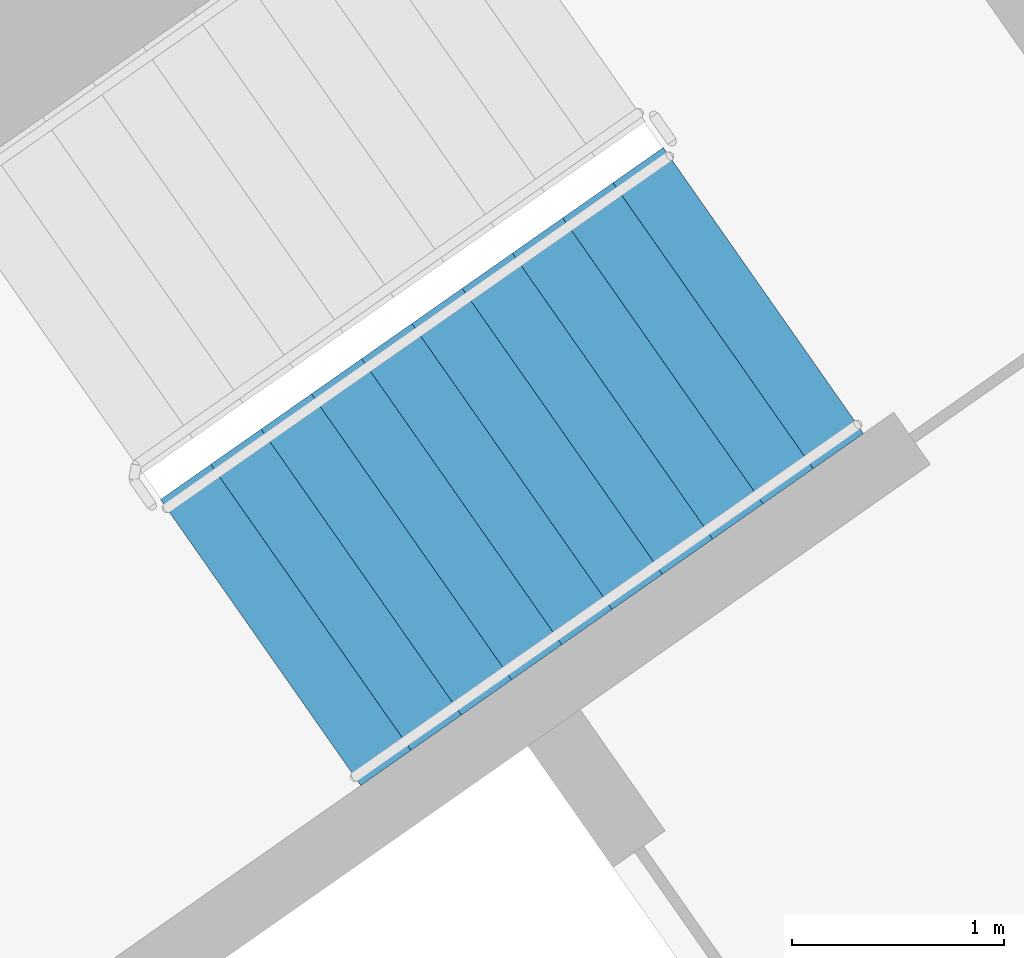
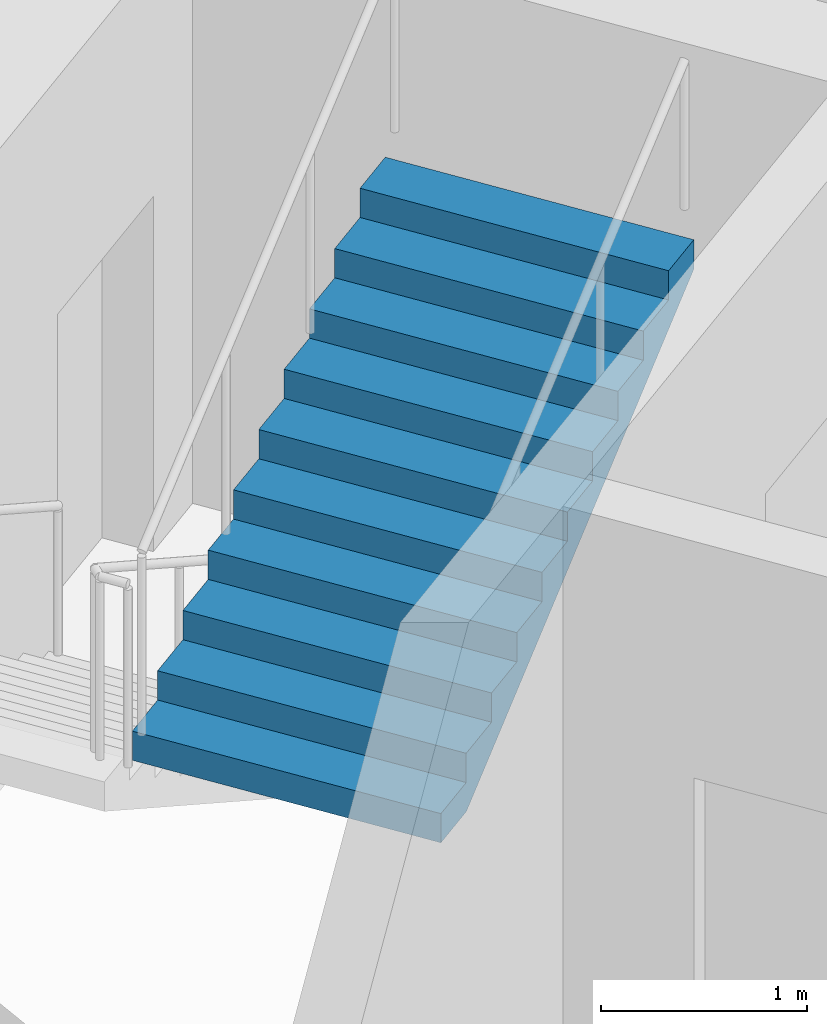
# One storey, part 16 of 28: 1 stair flight, 1 element without a shape of its own.
"""IFC4 building model written with IfcOpenShell, lengths in metres."""

import ifcopenshell
import ifcopenshell.guid

model = None  # the IFC model being written
_history = None  # IfcOwnerHistory: only IFC2X3 demands one
_inside = {}  # id of a spatial element -> (the spatial element, [elements in it])
_under = {}  # id of a project, library or spatial element -> (it, [spatial elements below it])
_declared = {}  # id of a project -> (the project, [libraries it declares])
_typed = {}  # id of a type object -> (the type object, [elements of that type])
_made_of = {}  # id of a material, layer set ... -> (it, [elements and type objects made of it])


def new_model(schema):
    """Start an empty IFC model of exactly this schema.

    Asked for "IFC4X3", IfcOpenShell would pick the latest addendum, in which some entities
    have other attributes; the version numbers below select the first issue.
    IFC2X3 requires an IfcOwnerHistory on every rooted entity: one is made here for all.
    """
    global model, _history
    if schema == "IFC4X3":
        model = ifcopenshell.file(schema_version=(4, 3, 0, 0))
    else:
        model = ifcopenshell.file(schema=schema)
    _inside.clear()
    _under.clear()
    _declared.clear()
    _typed.clear()
    _made_of.clear()
    _history = None
    if model.schema == "IFC2X3":
        org = make("IfcOrganization", Name="unknown")
        user = make(
            "IfcPersonAndOrganization",
            ThePerson=make("IfcPerson", FamilyName="unknown"),
            TheOrganization=org,
        )
        app = make(
            "IfcApplication",
            ApplicationDeveloper=org,
            Version="unknown",
            ApplicationFullName="unknown",
            ApplicationIdentifier="unknown",
        )
        _history = make(
            "IfcOwnerHistory",
            OwningUser=user,
            OwningApplication=app,
            ChangeAction="ADDED",
            CreationDate=0,
        )
    return model


def make(cls, **values):
    """One entity of the class cls with the attributes given. An attribute that is None is left unset."""
    return model.create_entity(
        cls, **{name: value for name, value in values.items() if value is not None}
    )


def rooted(cls, **values):
    """An entity with a GlobalId (a new one), such as an element, a storey or a relation."""
    return make(cls, GlobalId=ifcopenshell.guid.new(), OwnerHistory=_history, **values)


def si_unit(unit_type, name, prefix=None):
    """IfcSIUnit, for example si_unit("LENGTHUNIT", "METRE", prefix="MILLI")."""
    return make("IfcSIUnit", UnitType=unit_type, Prefix=prefix, Name=name)


def assignment(units):
    """IfcUnitAssignment: the units of a project."""
    return None if units is None else make("IfcUnitAssignment", Units=units)


def point(xyz):
    """IfcCartesianPoint."""
    return None if xyz is None else make("IfcCartesianPoint", Coordinates=xyz)


def direction(xyz):
    """IfcDirection."""
    return None if xyz is None else make("IfcDirection", DirectionRatios=xyz)


def frame(location, z_axis=None, x_axis=None):
    """IfcAxis2Placement3D, a coordinate frame: its origin and axes. An axis left out is left unset."""
    return make(
        "IfcAxis2Placement3D",
        Location=point(location),
        Axis=direction(z_axis),
        RefDirection=direction(x_axis),
    )


def origin():
    """The frame at (0, 0, 0) with its axes left unset."""
    return frame((0.0, 0.0, 0.0))


def place(relative_to, where):
    """IfcLocalPlacement: puts the frame where relative to a parent placement (None: the world)."""
    return make(
        "IfcLocalPlacement", PlacementRelTo=relative_to, RelativePlacement=where
    )


def context(
    kind, dimensions, precision=None, world=None, true_north=None, identifier=None
):
    """IfcGeometricRepresentationContext, for example the 3D "Model" context."""
    return make(
        "IfcGeometricRepresentationContext",
        ContextIdentifier=identifier,
        ContextType=kind,
        CoordinateSpaceDimension=dimensions,
        Precision=precision,
        WorldCoordinateSystem=world,
        TrueNorth=true_north,
    )


def subcontext(parent, identifier, kind, view, scale=None):
    """IfcGeometricRepresentationSubContext, for example "Body" below "Model"."""
    return make(
        "IfcGeometricRepresentationSubContext",
        ContextIdentifier=identifier,
        ContextType=kind,
        ParentContext=parent,
        TargetScale=scale,
        TargetView=view,
    )


def project(units=None, contexts=None):
    """IfcProject with its units and contexts."""
    return rooted(
        "IfcProject",
        Name="project",
        RepresentationContexts=contexts,
        UnitsInContext=assignment(units),
    )


def spatial(cls, under=None, at=None, **own):
    """A site, building, storey or space (cls), placed at a placement, below another one or the project."""
    s = rooted(cls, ObjectPlacement=at, **own)
    if under is not None:
        _under.setdefault(under.id(), (under, []))[1].append(s)
    return s


def faces_of(points, faces, orient=None, outer=None):
    """IfcFace entities. A face is a list of loops; a loop is a list of indices into points, from 0.

    orient and outer hold one flag for each loop. By default every Orientation is true, the
    first loop of a face is its IfcFaceOuterBound and the others are IfcFaceBound.
    """
    made = []
    for i, loops in enumerate(faces):
        bounds = []
        for j, loop in enumerate(loops):
            is_outer = j == 0 if outer is None else outer[i][j]
            bounds.append(
                make(
                    "IfcFaceOuterBound" if is_outer else "IfcFaceBound",
                    Bound=make("IfcPolyLoop", Polygon=[points[k] for k in loop]),
                    Orientation=True if orient is None else orient[i][j],
                )
            )
        made.append(make("IfcFace", Bounds=bounds))
    return made


def faceted_brep(points, faces, orient=None, outer=None, voids=None):
    """IfcFacetedBrep: a solid bounded by flat faces; with voids (closed shells), ...WithVoids."""
    shared = [point(p) for p in points]
    hull = make("IfcClosedShell", CfsFaces=faces_of(shared, faces, orient, outer))
    if voids is None:
        return make("IfcFacetedBrep", Outer=hull)
    return make(
        "IfcFacetedBrepWithVoids",
        Outer=hull,
        Voids=[
            make(cls, CfsFaces=faces_of(shared, fs, o, b)) for cls, fs, o, b in voids
        ],
    )


def shape(context_of_items, identifier, shape_type, items):
    """IfcShapeRepresentation: the items that make up one representation, for example the "Body"."""
    return make(
        "IfcShapeRepresentation",
        ContextOfItems=context_of_items,
        RepresentationIdentifier=identifier,
        RepresentationType=shape_type,
        Items=items,
    )


def material(Name=None, Category=None):
    """IfcMaterial."""
    return make("IfcMaterial", Name=Name, Category=Category)


def made_of(thing, what):
    """Note that an element or type object is made of a material, layer set ...; save() writes the relation."""
    if what is not None:
        _made_of.setdefault(what.id(), (what, []))[1].append(thing)
    return thing


def type_object(cls, material=None, **own):
    """A type object (cls), such as IfcWallType, which elements share."""
    return made_of(rooted(cls, **own), material)


def element(
    cls,
    number,
    at=None,
    inside=None,
    cuts=None,
    type_object=None,
    material=None,
    context=None,
    identifier="Body",
    shape_type=None,
    held_by="IfcProductDefinitionShape",
    body=None,
    shapes=None,
    **own,
):
    """One element of the class cls, such as IfcWall. Its Tag is "e" and its number.

    at: its placement. inside: the storey or other place that contains it. cuts: it is an
    opening in that element (IfcRelVoidsElement). A single representation is given by context,
    identifier, shape_type and body (its items); several are given by shapes. held_by: the class
    of the entity that holds the representations. save() writes the other relations.
    """
    e = rooted(cls, Tag="e%d" % number, ObjectPlacement=at, **own)
    if body is not None:
        shapes = [shape(context, identifier, shape_type, body)]
    if shapes is not None:
        e.Representation = make(held_by, Representations=shapes)
    if inside is not None:
        _inside.setdefault(inside.id(), (inside, []))[1].append(e)
    if cuts is not None:
        rooted(
            "IfcRelVoidsElement", RelatingBuildingElement=cuts, RelatedOpeningElement=e
        )
    if type_object is not None:
        _typed.setdefault(type_object.id(), (type_object, []))[1].append(e)
    return made_of(e, material)


def aggregate(whole, parts):
    """IfcRelAggregates: a whole, such as a stair, and the parts it consists of."""
    return rooted("IfcRelAggregates", RelatingObject=whole, RelatedObjects=parts)


def save(model, path):
    """Write the relations noted so far, then the file.

    IfcRelAggregates (storeys below a building ...), IfcRelContainedInSpatialStructure (elements
    in a storey), IfcRelDefinesByType, IfcRelAssociatesMaterial and IfcRelDeclares: one each for
    every whole, place, type object, material and project.
    """
    for whole, parts in _under.values():
        aggregate(whole, parts)
    for where, things in _inside.values():
        rooted(
            "IfcRelContainedInSpatialStructure",
            RelatedElements=things,
            RelatingStructure=where,
        )
    for kind, things in _typed.values():
        rooted("IfcRelDefinesByType", RelatedObjects=things, RelatingType=kind)
    for what, things in _made_of.values():
        rooted("IfcRelAssociatesMaterial", RelatedObjects=things, RelatingMaterial=what)
    for by, libraries in _declared.values():
        rooted("IfcRelDeclares", RelatingContext=by, RelatedDefinitions=libraries)
    model.write(path)


model = new_model("IFC4")

# Units and contexts
model_context = context("Model", 3, precision=1e-05, world=origin(), true_north=direction((0.0, 1.0)))
body_context = subcontext(model_context, "Body", "Model", "MODEL_VIEW")
ifc_project = project(units=[si_unit("LENGTHUNIT", "METRE"), si_unit("AREAUNIT", "SQUARE_METRE"), si_unit("VOLUMEUNIT", "CUBIC_METRE"), si_unit("PLANEANGLEUNIT", "RADIAN"), si_unit("MASSUNIT", "GRAM", prefix="KILO")], contexts=[model_context])

# Site, building, storey
site_placement = place(None, origin())
site = spatial("IfcSite", under=ifc_project, at=site_placement, CompositionType="ELEMENT")
building_placement = place(site_placement, origin())
building = spatial("IfcBuilding", under=site, at=building_placement, Name="Qamariyya Broadcast Tower", CompositionType="ELEMENT")
storey_placement = place(building_placement, frame((0.0, 0.0, 230.300048828125)))
storey = spatial("IfcBuildingStorey", under=building, at=storey_placement, Name="L55", CompositionType="ELEMENT", Elevation=230.300048828125)

# Stair, stair flight
ifc_material = material(Name="Concrete C50/60", Category="concrete")
stair_type = type_object("IfcStairType", Name="Exit stair 22 risers of 173 mm", PredefinedType="HALF_TURN_STAIR", material=ifc_material)
stair_placement = place(storey_placement, origin())
stair = element("IfcStair", 1, at=stair_placement, inside=storey, type_object=stair_type, Name="L55 Stair E2", PredefinedType="HALF_TURN_STAIR")
stair_flight_type = type_object("IfcStairFlightType", Name="Exit stair flight 11 risers of 173 mm", PredefinedType="STRAIGHT", material=ifc_material)
stair_flight_placement = place(storey_placement, frame((39.215576171875, -50.822998046875, 1.89990234375), z_axis=(0.0, 0.0, 1.0), x_axis=(0.819152044289, 0.573576436351, 0.0)))
stair_flight = element("IfcStairFlight", 2, at=stair_flight_placement, type_object=stair_flight_type, Name="ST-E2 flight 2", NumberOfRisers=11, NumberOfTreads=10, PredefinedType="STRAIGHT", RiserHeight=0.172727273, TreadLength=0.29, context=body_context, shape_type="Brep", body=[
    faceted_brep([(0.0, 0.824951171875, 0.0), (0.0, 0.824951171875, 0.172607421875), (0.2900390625, 0.824951171875, 0.172607421875), (0.2900390625, 0.824951171875, 0.345458984375), (0.580078125, 0.824951171875, 0.345458984375), (0.580078125, 0.824951171875, 0.51806640625), (0.8701171875, 0.824951171875, 0.51806640625), (0.8701171875, 0.824951171875, 0.69091796875), (1.159912109375, 0.824951171875, 0.69091796875), (1.159912109375, 0.824951171875, 0.863525390625), (1.449951171875, 0.824951171875, 0.863525390625), (1.449951171875, 0.824951171875, 1.036376953125), (1.739990234375, 0.824951171875, 1.036376953125), (1.739990234375, 0.824951171875, 1.208984375), (2.030029296875, 0.824951171875, 1.208984375), (2.030029296875, 0.824951171875, 1.3818359375), (2.320068359375, 0.824951171875, 1.3818359375), (2.320068359375, 0.824951171875, 1.554443359375), (2.610107421875, 0.824951171875, 1.554443359375), (2.610107421875, 0.824951171875, 1.727294921875), (2.89990234375, 0.824951171875, 1.727294921875), (2.89990234375, 0.824951171875, 1.552734375), (0.29296875, 0.824951171875, 0.0), (0.29296875, -0.824951171875, 0.0), (2.89990234375, -0.824951171875, 1.552734375), (2.89990234375, -0.824951171875, 1.727294921875), (2.610107421875, -0.824951171875, 1.727294921875), (2.610107421875, -0.824951171875, 1.554443359375), (2.320068359375, -0.824951171875, 1.554443359375), (2.320068359375, -0.824951171875, 1.3818359375), (2.030029296875, -0.824951171875, 1.3818359375), (2.030029296875, -0.824951171875, 1.208984375), (1.739990234375, -0.824951171875, 1.208984375), (1.739990234375, -0.824951171875, 1.036376953125), (1.449951171875, -0.824951171875, 1.036376953125), (1.449951171875, -0.824951171875, 0.863525390625), (1.159912109375, -0.824951171875, 0.863525390625), (1.159912109375, -0.824951171875, 0.69091796875), (0.8701171875, -0.824951171875, 0.69091796875), (0.8701171875, -0.824951171875, 0.51806640625), (0.580078125, -0.824951171875, 0.51806640625), (0.580078125, -0.824951171875, 0.345458984375), (0.2900390625, -0.824951171875, 0.345458984375), (0.2900390625, -0.824951171875, 0.172607421875), (0.0, -0.824951171875, 0.172607421875), (0.0, -0.824951171875, 0.0), (0.0, 0.10009765625, 0.0), (0.0, 0.086669921875, 0.0), (0.0, 0.0732421875, 0.0), (0.0, 0.06005859375, 0.0), (0.0, 0.046630859375, 0.0), (0.0, 0.033447265625, 0.0), (0.0, 0.02001953125, 0.0), (0.0, 0.006591796875, 0.0), (0.0, -0.006591796875, 0.0), (0.0, -0.02001953125, 0.0), (0.0, -0.033447265625, 0.0), (0.0, -0.046630859375, 0.0), (0.0, -0.06005859375, 0.0), (0.0, -0.0732421875, 0.0), (0.0, -0.086669921875, 0.0), (0.0, -0.10009765625, 0.0), (0.0, -0.10009765625, 0.172607421875), (0.0, -0.086669921875, 0.172607421875), (0.0, -0.0732421875, 0.172607421875), (0.0, -0.06005859375, 0.172607421875), (0.0, -0.046630859375, 0.172607421875), (0.0, -0.033447265625, 0.172607421875), (0.0, -0.02001953125, 0.172607421875), (0.0, -0.006591796875, 0.172607421875), (0.0, 0.006591796875, 0.172607421875), (0.0, 0.02001953125, 0.172607421875), (0.0, 0.033447265625, 0.172607421875), (0.0, 0.046630859375, 0.172607421875), (0.0, 0.06005859375, 0.172607421875), (0.0, 0.0732421875, 0.172607421875), (0.0, 0.086669921875, 0.172607421875), (0.0, 0.10009765625, 0.172607421875), (0.2900390625, -0.10009765625, 0.172607421875), (0.2900390625, -0.086669921875, 0.172607421875), (0.2900390625, -0.0732421875, 0.172607421875), (0.2900390625, -0.06005859375, 0.172607421875), (0.2900390625, -0.046630859375, 0.172607421875), (0.2900390625, -0.033447265625, 0.172607421875), (0.2900390625, -0.02001953125, 0.172607421875), (0.2900390625, -0.006591796875, 0.172607421875), (0.2900390625, 0.006591796875, 0.172607421875), (0.2900390625, 0.02001953125, 0.172607421875), (0.2900390625, 0.033447265625, 0.172607421875), (0.2900390625, 0.046630859375, 0.172607421875), (0.2900390625, 0.06005859375, 0.172607421875), (0.2900390625, 0.0732421875, 0.172607421875), (0.2900390625, 0.086669921875, 0.172607421875), (0.2900390625, 0.10009765625, 0.172607421875), (0.2900390625, -0.10009765625, 0.345458984375), (0.2900390625, -0.086669921875, 0.345458984375), (0.2900390625, -0.0732421875, 0.345458984375), (0.2900390625, -0.06005859375, 0.345458984375), (0.2900390625, -0.046630859375, 0.345458984375), (0.2900390625, -0.033447265625, 0.345458984375), (0.2900390625, -0.02001953125, 0.345458984375), (0.2900390625, -0.006591796875, 0.345458984375), (0.2900390625, 0.006591796875, 0.345458984375), (0.2900390625, 0.02001953125, 0.345458984375), (0.2900390625, 0.033447265625, 0.345458984375), (0.2900390625, 0.046630859375, 0.345458984375), (0.2900390625, 0.06005859375, 0.345458984375), (0.2900390625, 0.0732421875, 0.345458984375), (0.2900390625, 0.086669921875, 0.345458984375), (0.2900390625, 0.10009765625, 0.345458984375), (0.580078125, -0.10009765625, 0.345458984375), (0.580078125, -0.086669921875, 0.345458984375), (0.580078125, -0.0732421875, 0.345458984375), (0.580078125, -0.06005859375, 0.345458984375), (0.580078125, -0.046630859375, 0.345458984375), (0.580078125, -0.033447265625, 0.345458984375), (0.580078125, -0.02001953125, 0.345458984375), (0.580078125, -0.006591796875, 0.345458984375), (0.580078125, 0.006591796875, 0.345458984375), (0.580078125, 0.02001953125, 0.345458984375), (0.580078125, 0.033447265625, 0.345458984375), (0.580078125, 0.046630859375, 0.345458984375), (0.580078125, 0.06005859375, 0.345458984375), (0.580078125, 0.0732421875, 0.345458984375), (0.580078125, 0.086669921875, 0.345458984375), (0.580078125, 0.10009765625, 0.345458984375), (0.580078125, -0.10009765625, 0.51806640625), (0.580078125, -0.086669921875, 0.51806640625), (0.580078125, -0.0732421875, 0.51806640625), (0.580078125, -0.06005859375, 0.51806640625), (0.580078125, -0.046630859375, 0.51806640625), (0.580078125, -0.033447265625, 0.51806640625), (0.580078125, -0.02001953125, 0.51806640625), (0.580078125, -0.006591796875, 0.51806640625), (0.580078125, 0.006591796875, 0.51806640625), (0.580078125, 0.02001953125, 0.51806640625), (0.580078125, 0.033447265625, 0.51806640625), (0.580078125, 0.046630859375, 0.51806640625), (0.580078125, 0.06005859375, 0.51806640625), (0.580078125, 0.0732421875, 0.51806640625), (0.580078125, 0.086669921875, 0.51806640625), (0.580078125, 0.10009765625, 0.51806640625), (0.8701171875, -0.10009765625, 0.51806640625), (0.8701171875, -0.086669921875, 0.51806640625), (0.8701171875, -0.0732421875, 0.51806640625), (0.8701171875, -0.06005859375, 0.51806640625), (0.8701171875, -0.046630859375, 0.51806640625), (0.8701171875, -0.033447265625, 0.51806640625), (0.8701171875, -0.02001953125, 0.51806640625), (0.8701171875, -0.006591796875, 0.51806640625), (0.8701171875, 0.006591796875, 0.51806640625), (0.8701171875, 0.02001953125, 0.51806640625), (0.8701171875, 0.033447265625, 0.51806640625), (0.8701171875, 0.046630859375, 0.51806640625), (0.8701171875, 0.06005859375, 0.51806640625), (0.8701171875, 0.0732421875, 0.51806640625), (0.8701171875, 0.086669921875, 0.51806640625), (0.8701171875, 0.10009765625, 0.51806640625), (0.8701171875, -0.10009765625, 0.69091796875), (0.8701171875, -0.086669921875, 0.69091796875), (0.8701171875, -0.0732421875, 0.69091796875), (0.8701171875, -0.06005859375, 0.69091796875), (0.8701171875, -0.046630859375, 0.69091796875), (0.8701171875, -0.033447265625, 0.69091796875), (0.8701171875, -0.02001953125, 0.69091796875), (0.8701171875, -0.006591796875, 0.69091796875), (0.8701171875, 0.006591796875, 0.69091796875), (0.8701171875, 0.02001953125, 0.69091796875), (0.8701171875, 0.033447265625, 0.69091796875), (0.8701171875, 0.046630859375, 0.69091796875), (0.8701171875, 0.06005859375, 0.69091796875), (0.8701171875, 0.0732421875, 0.69091796875), (0.8701171875, 0.086669921875, 0.69091796875), (0.8701171875, 0.10009765625, 0.69091796875), (1.159912109375, -0.10009765625, 0.69091796875), (1.159912109375, -0.086669921875, 0.69091796875), (1.159912109375, -0.0732421875, 0.69091796875), (1.159912109375, -0.06005859375, 0.69091796875), (1.159912109375, -0.046630859375, 0.69091796875), (1.159912109375, -0.033447265625, 0.69091796875), (1.159912109375, -0.02001953125, 0.69091796875), (1.159912109375, -0.006591796875, 0.69091796875), (1.159912109375, 0.006591796875, 0.69091796875), (1.159912109375, 0.02001953125, 0.69091796875), (1.159912109375, 0.033447265625, 0.69091796875), (1.159912109375, 0.046630859375, 0.69091796875), (1.159912109375, 0.06005859375, 0.69091796875), (1.159912109375, 0.0732421875, 0.69091796875), (1.159912109375, 0.086669921875, 0.69091796875), (1.159912109375, 0.10009765625, 0.69091796875), (1.159912109375, -0.10009765625, 0.863525390625), (1.159912109375, -0.086669921875, 0.863525390625), (1.159912109375, -0.0732421875, 0.863525390625), (1.159912109375, -0.06005859375, 0.863525390625), (1.159912109375, -0.046630859375, 0.863525390625), (1.159912109375, -0.033447265625, 0.863525390625), (1.159912109375, -0.02001953125, 0.863525390625), (1.159912109375, -0.006591796875, 0.863525390625), (1.159912109375, 0.006591796875, 0.863525390625), (1.159912109375, 0.02001953125, 0.863525390625), (1.159912109375, 0.033447265625, 0.863525390625), (1.159912109375, 0.046630859375, 0.863525390625), (1.159912109375, 0.06005859375, 0.863525390625), (1.159912109375, 0.0732421875, 0.863525390625), (1.159912109375, 0.086669921875, 0.863525390625), (1.159912109375, 0.10009765625, 0.863525390625), (1.449951171875, -0.10009765625, 0.863525390625), (1.449951171875, -0.086669921875, 0.863525390625), (1.449951171875, -0.0732421875, 0.863525390625), (1.449951171875, -0.06005859375, 0.863525390625), (1.449951171875, -0.046630859375, 0.863525390625), (1.449951171875, -0.033447265625, 0.863525390625), (1.449951171875, -0.02001953125, 0.863525390625), (1.449951171875, -0.006591796875, 0.863525390625), (1.449951171875, 0.006591796875, 0.863525390625), (1.449951171875, 0.02001953125, 0.863525390625), (1.449951171875, 0.033447265625, 0.863525390625), (1.449951171875, 0.046630859375, 0.863525390625), (1.449951171875, 0.06005859375, 0.863525390625), (1.449951171875, 0.0732421875, 0.863525390625), (1.449951171875, 0.086669921875, 0.863525390625), (1.449951171875, 0.10009765625, 0.863525390625), (1.449951171875, -0.10009765625, 1.036376953125), (1.449951171875, -0.086669921875, 1.036376953125), (1.449951171875, -0.0732421875, 1.036376953125), (1.449951171875, -0.06005859375, 1.036376953125), (1.449951171875, -0.046630859375, 1.036376953125), (1.449951171875, -0.033447265625, 1.036376953125), (1.449951171875, -0.02001953125, 1.036376953125), (1.449951171875, -0.006591796875, 1.036376953125), (1.449951171875, 0.006591796875, 1.036376953125), (1.449951171875, 0.02001953125, 1.036376953125), (1.449951171875, 0.033447265625, 1.036376953125), (1.449951171875, 0.046630859375, 1.036376953125), (1.449951171875, 0.06005859375, 1.036376953125), (1.449951171875, 0.0732421875, 1.036376953125), (1.449951171875, 0.086669921875, 1.036376953125), (1.449951171875, 0.10009765625, 1.036376953125), (1.739990234375, -0.10009765625, 1.036376953125), (1.739990234375, -0.086669921875, 1.036376953125), (1.739990234375, -0.0732421875, 1.036376953125), (1.739990234375, -0.06005859375, 1.036376953125), (1.739990234375, -0.046630859375, 1.036376953125), (1.739990234375, -0.033447265625, 1.036376953125), (1.739990234375, -0.02001953125, 1.036376953125), (1.739990234375, -0.006591796875, 1.036376953125), (1.739990234375, 0.006591796875, 1.036376953125), (1.739990234375, 0.02001953125, 1.036376953125), (1.739990234375, 0.033447265625, 1.036376953125), (1.739990234375, 0.046630859375, 1.036376953125), (1.739990234375, 0.06005859375, 1.036376953125), (1.739990234375, 0.0732421875, 1.036376953125), (1.739990234375, 0.086669921875, 1.036376953125), (1.739990234375, 0.10009765625, 1.036376953125), (1.739990234375, -0.10009765625, 1.208984375), (1.739990234375, -0.086669921875, 1.208984375), (1.739990234375, -0.0732421875, 1.208984375), (1.739990234375, -0.06005859375, 1.208984375), (1.739990234375, -0.046630859375, 1.208984375), (1.739990234375, -0.033447265625, 1.208984375), (1.739990234375, -0.02001953125, 1.208984375), (1.739990234375, -0.006591796875, 1.208984375), (1.739990234375, 0.006591796875, 1.208984375), (1.739990234375, 0.02001953125, 1.208984375), (1.739990234375, 0.033447265625, 1.208984375), (1.739990234375, 0.046630859375, 1.208984375), (1.739990234375, 0.06005859375, 1.208984375), (1.739990234375, 0.0732421875, 1.208984375), (1.739990234375, 0.086669921875, 1.208984375), (1.739990234375, 0.10009765625, 1.208984375), (2.030029296875, -0.10009765625, 1.208984375), (2.030029296875, -0.086669921875, 1.208984375), (2.030029296875, -0.0732421875, 1.208984375), (2.030029296875, -0.06005859375, 1.208984375), (2.030029296875, -0.046630859375, 1.208984375), (2.030029296875, -0.033447265625, 1.208984375), (2.030029296875, -0.02001953125, 1.208984375), (2.030029296875, -0.006591796875, 1.208984375), (2.030029296875, 0.006591796875, 1.208984375), (2.030029296875, 0.02001953125, 1.208984375), (2.030029296875, 0.033447265625, 1.208984375), (2.030029296875, 0.046630859375, 1.208984375), (2.030029296875, 0.06005859375, 1.208984375), (2.030029296875, 0.0732421875, 1.208984375), (2.030029296875, 0.086669921875, 1.208984375), (2.030029296875, 0.10009765625, 1.208984375), (2.030029296875, -0.10009765625, 1.3818359375), (2.030029296875, -0.086669921875, 1.3818359375), (2.030029296875, -0.0732421875, 1.3818359375), (2.030029296875, -0.06005859375, 1.3818359375), (2.030029296875, -0.046630859375, 1.3818359375), (2.030029296875, -0.033447265625, 1.3818359375), (2.030029296875, -0.02001953125, 1.3818359375), (2.030029296875, -0.006591796875, 1.3818359375), (2.030029296875, 0.006591796875, 1.3818359375), (2.030029296875, 0.02001953125, 1.3818359375), (2.030029296875, 0.033447265625, 1.3818359375), (2.030029296875, 0.046630859375, 1.3818359375), (2.030029296875, 0.06005859375, 1.3818359375), (2.030029296875, 0.0732421875, 1.3818359375), (2.030029296875, 0.086669921875, 1.3818359375), (2.030029296875, 0.10009765625, 1.3818359375), (2.320068359375, -0.10009765625, 1.3818359375), (2.320068359375, -0.086669921875, 1.3818359375), (2.320068359375, -0.0732421875, 1.3818359375), (2.320068359375, -0.06005859375, 1.3818359375), (2.320068359375, -0.046630859375, 1.3818359375), (2.320068359375, -0.033447265625, 1.3818359375), (2.320068359375, -0.02001953125, 1.3818359375), (2.320068359375, -0.006591796875, 1.3818359375), (2.320068359375, 0.006591796875, 1.3818359375), (2.320068359375, 0.02001953125, 1.3818359375), (2.320068359375, 0.033447265625, 1.3818359375), (2.320068359375, 0.046630859375, 1.3818359375), (2.320068359375, 0.06005859375, 1.3818359375), (2.320068359375, 0.0732421875, 1.3818359375), (2.320068359375, 0.086669921875, 1.3818359375), (2.320068359375, 0.10009765625, 1.3818359375), (2.320068359375, -0.10009765625, 1.554443359375), (2.320068359375, -0.086669921875, 1.554443359375), (2.320068359375, -0.0732421875, 1.554443359375), (2.320068359375, -0.06005859375, 1.554443359375), (2.320068359375, -0.046630859375, 1.554443359375), (2.320068359375, -0.033447265625, 1.554443359375), (2.320068359375, -0.02001953125, 1.554443359375), (2.320068359375, -0.006591796875, 1.554443359375), (2.320068359375, 0.006591796875, 1.554443359375), (2.320068359375, 0.02001953125, 1.554443359375), (2.320068359375, 0.033447265625, 1.554443359375), (2.320068359375, 0.046630859375, 1.554443359375), (2.320068359375, 0.06005859375, 1.554443359375), (2.320068359375, 0.0732421875, 1.554443359375), (2.320068359375, 0.086669921875, 1.554443359375), (2.320068359375, 0.10009765625, 1.554443359375), (2.610107421875, -0.10009765625, 1.554443359375), (2.610107421875, -0.086669921875, 1.554443359375), (2.610107421875, -0.0732421875, 1.554443359375), (2.610107421875, -0.06005859375, 1.554443359375), (2.610107421875, -0.046630859375, 1.554443359375), (2.610107421875, -0.033447265625, 1.554443359375), (2.610107421875, -0.02001953125, 1.554443359375), (2.610107421875, -0.006591796875, 1.554443359375), (2.610107421875, 0.006591796875, 1.554443359375), (2.610107421875, 0.02001953125, 1.554443359375), (2.610107421875, 0.033447265625, 1.554443359375), (2.610107421875, 0.046630859375, 1.554443359375), (2.610107421875, 0.06005859375, 1.554443359375), (2.610107421875, 0.0732421875, 1.554443359375), (2.610107421875, 0.086669921875, 1.554443359375), (2.610107421875, 0.10009765625, 1.554443359375), (2.610107421875, -0.10009765625, 1.727294921875), (2.610107421875, -0.086669921875, 1.727294921875), (2.610107421875, -0.0732421875, 1.727294921875), (2.610107421875, -0.06005859375, 1.727294921875), (2.610107421875, -0.046630859375, 1.727294921875), (2.610107421875, -0.033447265625, 1.727294921875), (2.610107421875, -0.02001953125, 1.727294921875), (2.610107421875, -0.006591796875, 1.727294921875), (2.610107421875, 0.006591796875, 1.727294921875), (2.610107421875, 0.02001953125, 1.727294921875), (2.610107421875, 0.033447265625, 1.727294921875), (2.610107421875, 0.046630859375, 1.727294921875), (2.610107421875, 0.06005859375, 1.727294921875), (2.610107421875, 0.0732421875, 1.727294921875), (2.610107421875, 0.086669921875, 1.727294921875), (2.610107421875, 0.10009765625, 1.727294921875), (2.89990234375, -0.10009765625, 1.727294921875), (2.89990234375, -0.086669921875, 1.727294921875), (2.89990234375, -0.0732421875, 1.727294921875), (2.89990234375, -0.06005859375, 1.727294921875), (2.89990234375, -0.046630859375, 1.727294921875), (2.89990234375, -0.033447265625, 1.727294921875), (2.89990234375, -0.02001953125, 1.727294921875), (2.89990234375, -0.006591796875, 1.727294921875), (2.89990234375, 0.006591796875, 1.727294921875), (2.89990234375, 0.02001953125, 1.727294921875), (2.89990234375, 0.033447265625, 1.727294921875), (2.89990234375, 0.046630859375, 1.727294921875), (2.89990234375, 0.06005859375, 1.727294921875), (2.89990234375, 0.0732421875, 1.727294921875), (2.89990234375, 0.086669921875, 1.727294921875), (2.89990234375, 0.10009765625, 1.727294921875), (2.89990234375, -0.10009765625, 1.552734375), (2.89990234375, -0.086669921875, 1.552734375), (2.89990234375, -0.0732421875, 1.552734375), (2.89990234375, -0.06005859375, 1.552734375), (2.89990234375, -0.046630859375, 1.552734375), (2.89990234375, -0.033447265625, 1.552734375), (2.89990234375, -0.02001953125, 1.552734375), (2.89990234375, -0.006591796875, 1.552734375), (2.89990234375, 0.006591796875, 1.552734375), (2.89990234375, 0.02001953125, 1.552734375), (2.89990234375, 0.033447265625, 1.552734375), (2.89990234375, 0.046630859375, 1.552734375), (2.89990234375, 0.06005859375, 1.552734375), (2.89990234375, 0.0732421875, 1.552734375), (2.89990234375, 0.086669921875, 1.552734375), (2.89990234375, 0.10009765625, 1.552734375), (0.29296875, -0.10009765625, 0.0), (0.29296875, -0.086669921875, 0.0), (0.29296875, -0.0732421875, 0.0), (0.29296875, -0.06005859375, 0.0), (0.29296875, -0.046630859375, 0.0), (0.29296875, -0.033447265625, 0.0), (0.29296875, -0.02001953125, 0.0), (0.29296875, -0.006591796875, 0.0), (0.29296875, 0.006591796875, 0.0), (0.29296875, 0.02001953125, 0.0), (0.29296875, 0.033447265625, 0.0), (0.29296875, 0.046630859375, 0.0), (0.29296875, 0.06005859375, 0.0), (0.29296875, 0.0732421875, 0.0), (0.29296875, 0.086669921875, 0.0), (0.29296875, 0.10009765625, 0.0)], [[[0, 1, 2, 3, 4, 5, 6, 7, 8, 9, 10, 11, 12, 13, 14, 15, 16, 17, 18, 19, 20, 21, 22]], [[23, 24, 25, 26, 27, 28, 29, 30, 31, 32, 33, 34, 35, 36, 37, 38, 39, 40, 41, 42, 43, 44, 45]], [[0, 46, 47, 48, 49, 50, 51, 52, 53, 54, 55, 56, 57, 58, 59, 60, 61, 45, 44, 62, 63, 64, 65, 66, 67, 68, 69, 70, 71, 72, 73, 74, 75, 76, 77, 1]], [[1, 77, 76, 75, 74, 73, 72, 71, 70, 69, 68, 67, 66, 65, 64, 63, 62, 44, 43, 78, 79, 80, 81, 82, 83, 84, 85, 86, 87, 88, 89, 90, 91, 92, 93, 2]], [[2, 93, 92, 91, 90, 89, 88, 87, 86, 85, 84, 83, 82, 81, 80, 79, 78, 43, 42, 94, 95, 96, 97, 98, 99, 100, 101, 102, 103, 104, 105, 106, 107, 108, 109, 3]], [[3, 109, 108, 107, 106, 105, 104, 103, 102, 101, 100, 99, 98, 97, 96, 95, 94, 42, 41, 110, 111, 112, 113, 114, 115, 116, 117, 118, 119, 120, 121, 122, 123, 124, 125, 4]], [[4, 125, 124, 123, 122, 121, 120, 119, 118, 117, 116, 115, 114, 113, 112, 111, 110, 41, 40, 126, 127, 128, 129, 130, 131, 132, 133, 134, 135, 136, 137, 138, 139, 140, 141, 5]], [[5, 141, 140, 139, 138, 137, 136, 135, 134, 133, 132, 131, 130, 129, 128, 127, 126, 40, 39, 142, 143, 144, 145, 146, 147, 148, 149, 150, 151, 152, 153, 154, 155, 156, 157, 6]], [[6, 157, 156, 155, 154, 153, 152, 151, 150, 149, 148, 147, 146, 145, 144, 143, 142, 39, 38, 158, 159, 160, 161, 162, 163, 164, 165, 166, 167, 168, 169, 170, 171, 172, 173, 7]], [[7, 173, 172, 171, 170, 169, 168, 167, 166, 165, 164, 163, 162, 161, 160, 159, 158, 38, 37, 174, 175, 176, 177, 178, 179, 180, 181, 182, 183, 184, 185, 186, 187, 188, 189, 8]], [[8, 189, 188, 187, 186, 185, 184, 183, 182, 181, 180, 179, 178, 177, 176, 175, 174, 37, 36, 190, 191, 192, 193, 194, 195, 196, 197, 198, 199, 200, 201, 202, 203, 204, 205, 9]], [[9, 205, 204, 203, 202, 201, 200, 199, 198, 197, 196, 195, 194, 193, 192, 191, 190, 36, 35, 206, 207, 208, 209, 210, 211, 212, 213, 214, 215, 216, 217, 218, 219, 220, 221, 10]], [[10, 221, 220, 219, 218, 217, 216, 215, 214, 213, 212, 211, 210, 209, 208, 207, 206, 35, 34, 222, 223, 224, 225, 226, 227, 228, 229, 230, 231, 232, 233, 234, 235, 236, 237, 11]], [[11, 237, 236, 235, 234, 233, 232, 231, 230, 229, 228, 227, 226, 225, 224, 223, 222, 34, 33, 238, 239, 240, 241, 242, 243, 244, 245, 246, 247, 248, 249, 250, 251, 252, 253, 12]], [[12, 253, 252, 251, 250, 249, 248, 247, 246, 245, 244, 243, 242, 241, 240, 239, 238, 33, 32, 254, 255, 256, 257, 258, 259, 260, 261, 262, 263, 264, 265, 266, 267, 268, 269, 13]], [[13, 269, 268, 267, 266, 265, 264, 263, 262, 261, 260, 259, 258, 257, 256, 255, 254, 32, 31, 270, 271, 272, 273, 274, 275, 276, 277, 278, 279, 280, 281, 282, 283, 284, 285, 14]], [[14, 285, 284, 283, 282, 281, 280, 279, 278, 277, 276, 275, 274, 273, 272, 271, 270, 31, 30, 286, 287, 288, 289, 290, 291, 292, 293, 294, 295, 296, 297, 298, 299, 300, 301, 15]], [[15, 301, 300, 299, 298, 297, 296, 295, 294, 293, 292, 291, 290, 289, 288, 287, 286, 30, 29, 302, 303, 304, 305, 306, 307, 308, 309, 310, 311, 312, 313, 314, 315, 316, 317, 16]], [[16, 317, 316, 315, 314, 313, 312, 311, 310, 309, 308, 307, 306, 305, 304, 303, 302, 29, 28, 318, 319, 320, 321, 322, 323, 324, 325, 326, 327, 328, 329, 330, 331, 332, 333, 17]], [[17, 333, 332, 331, 330, 329, 328, 327, 326, 325, 324, 323, 322, 321, 320, 319, 318, 28, 27, 334, 335, 336, 337, 338, 339, 340, 341, 342, 343, 344, 345, 346, 347, 348, 349, 18]], [[18, 349, 348, 347, 346, 345, 344, 343, 342, 341, 340, 339, 338, 337, 336, 335, 334, 27, 26, 350, 351, 352, 353, 354, 355, 356, 357, 358, 359, 360, 361, 362, 363, 364, 365, 19]], [[19, 365, 364, 363, 362, 361, 360, 359, 358, 357, 356, 355, 354, 353, 352, 351, 350, 26, 25, 366, 367, 368, 369, 370, 371, 372, 373, 374, 375, 376, 377, 378, 379, 380, 381, 20]], [[20, 381, 380, 379, 378, 377, 376, 375, 374, 373, 372, 371, 370, 369, 368, 367, 366, 25, 24, 382, 383, 384, 385, 386, 387, 388, 389, 390, 391, 392, 393, 394, 395, 396, 397, 21]], [[21, 397, 396, 395, 394, 393, 392, 391, 390, 389, 388, 387, 386, 385, 384, 383, 382, 24, 23, 398, 399, 400, 401, 402, 403, 404, 405, 406, 407, 408, 409, 410, 411, 412, 413, 22]], [[22, 413, 412, 411, 410, 409, 408, 407, 406, 405, 404, 403, 402, 401, 400, 399, 398, 23, 45, 61, 60, 59, 58, 57, 56, 55, 54, 53, 52, 51, 50, 49, 48, 47, 46, 0]]]),
])
aggregate(stair, [stair_flight])

save(model, "model.ifc")
